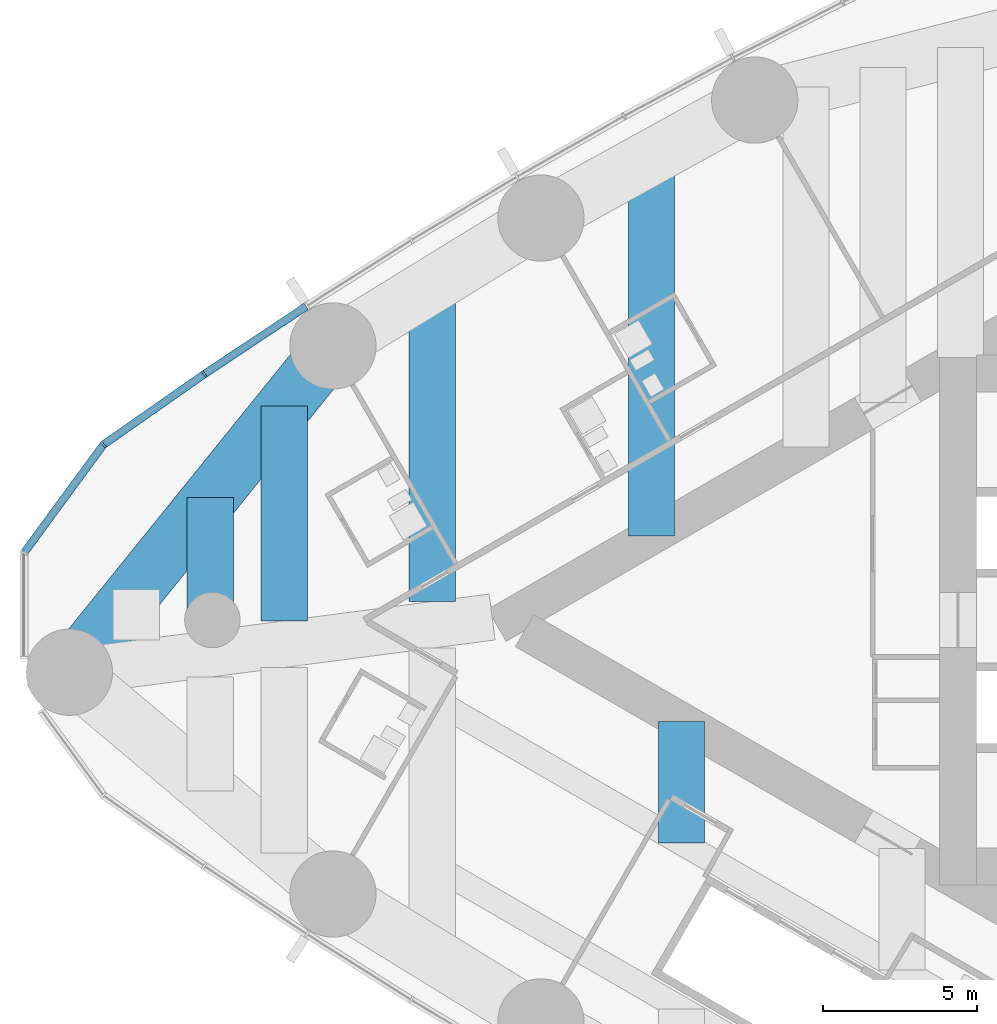
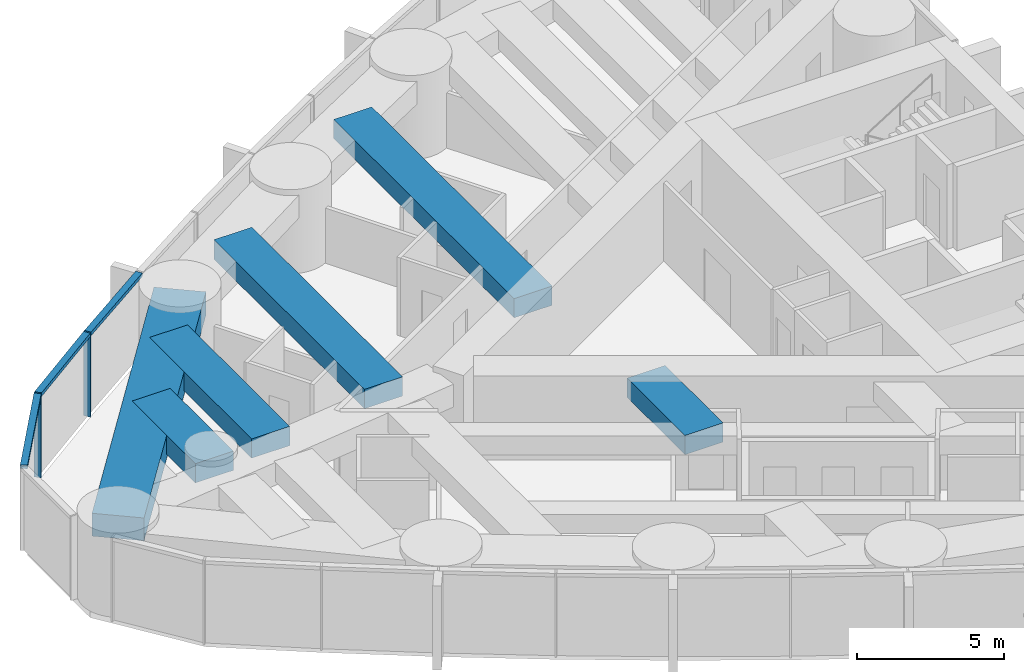
# One storey, part 3 of 19: 6 beams, 5 members, 1 element without a shape of its own.
"""IFC4 building model written with IfcOpenShell, lengths in metres."""

from ifc_helpers import new_model, si_unit, direction, frame, origin, origin_2d, place, context, subcontext, project, spatial, rectangle, extrude, material, material_profile, profile_set, type_object, element, aggregate, save


model = new_model("IFC4")

# Units and contexts
model_context = context("Model", 3, precision=1e-05, world=origin(), true_north=direction((0.0, 1.0)))
body_context = subcontext(model_context, "Body", "Model", "MODEL_VIEW")
ifc_project = project(units=[si_unit("LENGTHUNIT", "METRE"), si_unit("AREAUNIT", "SQUARE_METRE"), si_unit("VOLUMEUNIT", "CUBIC_METRE"), si_unit("PLANEANGLEUNIT", "RADIAN"), si_unit("MASSUNIT", "GRAM", prefix="KILO")], contexts=[model_context])

# Site, building, storey
site_placement = place(None, origin())
site = spatial("IfcSite", under=ifc_project, at=site_placement, CompositionType="ELEMENT")
building_placement = place(site_placement, origin())
building = spatial("IfcBuilding", under=site, at=building_placement, Name="Lancet Gate Hotel", CompositionType="ELEMENT")
storey_placement = place(building_placement, frame((0.0, 0.0, 173.800048828125)))
storey = spatial("IfcBuildingStorey", under=building, at=storey_placement, Name="L46", CompositionType="ELEMENT", Elevation=173.800048828125)

# Curtain wall, members
ifc_material_1 = material(Name="Aluminium curtain wall", Category="aluminium")
curtain_wall_type = type_object("IfcCurtainWallType", Name="Tower unitised curtain wall", PredefinedType="USERDEFINED", material=ifc_material_1)
curtain_wall_placement = place(storey_placement, origin())
curtain_wall = element("IfcCurtainWall", 1, at=curtain_wall_placement, inside=storey, type_object=curtain_wall_type, Name="T1 L46 curtain wall 2", ObjectType="UNITISED CURTAIN WALL", PredefinedType="USERDEFINED")
ifc_material_2 = material(Name="Aluminium mullion", Category="aluminium")
ifc_material_profile_1 = material_profile(ifc_material_2, rectangle(XDim=0.06494140625, YDim=0.25, at=origin_2d()), Name="MULLION 65x250")
ifc_profile_set_1 = profile_set([ifc_material_profile_1], Name="Aluminium mullion")
member_type_1 = type_object("IfcMemberType", Name="Aluminium mullion 65x250", PredefinedType="MULLION", material=ifc_profile_set_1)
member_1_placement = place(storey_placement, frame((-61.7626953125, 7.980712890625, 0.0), z_axis=(0.0, 0.0, 1.0), x_axis=(-0.826312172542, -0.563212387568, 0.0)))
member_1 = element("IfcMember", 2, at=member_1_placement, type_object=member_type_1, Name="T1 L46 curtain wall 2 mullion 10", PredefinedType="MULLION", context=body_context, shape_type="SweptSolid", body=[
    extrude(rectangle(XDim=0.06494140625, YDim=0.25, at=origin_2d()), origin(), (0.0, 0.0, 1.0), 3.5),
])
member_2_placement = place(storey_placement, frame((-65.040283203125, 5.68994140625, 0.0), z_axis=(0.0, 0.0, 1.0), x_axis=(-0.710112861968, -0.704087866155, 0.0)))
member_2 = element("IfcMember", 3, at=member_2_placement, type_object=member_type_1, Name="T1 L46 curtain wall 2 mullion 11", PredefinedType="MULLION", context=body_context, shape_type="SweptSolid", body=[
    extrude(rectangle(XDim=0.06494140625, YDim=0.25, at=origin_2d()), origin(), (0.0, 0.0, 1.0), 3.5),
])
ifc_material_3 = material(Name="Aluminium transom", Category="aluminium")
ifc_material_profile_2 = material_profile(ifc_material_3, rectangle(XDim=0.25, YDim=0.14990234375, at=origin_2d()), Name="TRANSOM 250x150")
ifc_profile_set_2 = profile_set([ifc_material_profile_2], Name="Aluminium transom")
member_type_2 = type_object("IfcMemberType", Name="Aluminium transom 250x150", PredefinedType="USERDEFINED", material=ifc_profile_set_2)
member_3_placement = place(storey_placement, frame((-58.459228515625, 10.176025390625, 3.425048828125), z_axis=(-0.832870509189, -0.553467898729, 0.0), x_axis=(0.553467898729, -0.832870509189, 0.0)))
member_3 = element("IfcMember", 4, at=member_3_placement, type_object=member_type_2, Name="T1 L46 curtain wall 2 transom 9", ObjectType="TRANSOM", PredefinedType="USERDEFINED", context=body_context, shape_type="SweptSolid", body=[
    extrude(rectangle(XDim=0.25, YDim=0.14990234375, at=origin_2d()), origin(), (0.0, 0.0, 1.0), 3.933837890625),
])
member_4_placement = place(storey_placement, frame((-61.789306640625, 7.962158203125, 3.425048828125), z_axis=(-0.819636985462, -0.572883244704, 0.0), x_axis=(0.572883244704, -0.819636985462, 0.0)))
member_4 = element("IfcMember", 5, at=member_4_placement, type_object=member_type_2, Name="T1 L46 curtain wall 2 transom 10", ObjectType="TRANSOM", PredefinedType="USERDEFINED", context=body_context, shape_type="SweptSolid", body=[
    extrude(rectangle(XDim=0.25, YDim=0.14990234375, at=origin_2d()), origin(), (0.0, 0.0, 1.0), 3.933837890625),
])
member_5_placement = place(storey_placement, frame((-65.0595703125, 5.66357421875, 3.425048828125), z_axis=(-0.591324189618, -0.806433941977, 0.0), x_axis=(0.806433941977, -0.591324189618, 0.0)))
member_5 = element("IfcMember", 6, at=member_5_placement, type_object=member_type_2, Name="T1 L46 curtain wall 2 transom 11", ObjectType="TRANSOM", PredefinedType="USERDEFINED", context=body_context, shape_type="SweptSolid", body=[
    extrude(rectangle(XDim=0.25, YDim=0.14990234375, at=origin_2d()), origin(), (0.0, 0.0, 1.0), 4.2900390625),
])
aggregate(curtain_wall, [member_1, member_2, member_3, member_4, member_5])

# Beams
ifc_material_4 = material(Name="Concrete C50/60", Category="concrete")
ifc_material_profile_3 = material_profile(ifc_material_4, rectangle(XDim=1.800048828125, YDim=0.949951171875, at=origin_2d()), Name="RC 1800x950")
ifc_profile_set_3 = profile_set([ifc_material_profile_3], Name="Concrete C50/60")
beam_type_1 = type_object("IfcBeamType", Name="Edge beam RC 1800x950", PredefinedType="SPANDREL", material=ifc_profile_set_3)
beam_1_placement = place(storey_placement, frame((-57.589599609375, 8.89306640625, 2.77490234375), z_axis=(-0.628373846765, -0.777911504416, 0.0), x_axis=(0.777911504416, -0.628373846765, 0.0)))
element("IfcBeam", 7, at=beam_1_placement, inside=storey, type_object=beam_type_1, Name="T1 edge beam EB1 L46", PredefinedType="SPANDREL", context=body_context, shape_type="SweptSolid", body=[
    extrude(rectangle(XDim=1.800048828125, YDim=0.949951171875, at=origin_2d()), origin(), (0.0, 0.0, 1.0), 13.611328125),
])
ifc_material_5 = material(Name="Concrete C50/60", Category="concrete")
ifc_material_profile_4 = material_profile(ifc_material_5, rectangle(XDim=1.5, YDim=0.800048828125, at=origin_2d()), Name="RC 1500x800")
ifc_profile_set_4 = profile_set([ifc_material_profile_4], Name="Concrete C50/60")
beam_type_2 = type_object("IfcBeamType", Name="Floor beam RC 1500x800", PredefinedType="BEAM", material=ifc_profile_set_4)
beam_2_placement = place(storey_placement, frame((-47.254638671875, 15.020751953125, 2.849853515625), z_axis=(0.0, -1.0, 0.0), x_axis=(1.0, 0.0, 0.0)))
element("IfcBeam", 8, at=beam_2_placement, inside=storey, type_object=beam_type_2, Name="T1 floor beam F09S L46", PredefinedType="BEAM", context=body_context, shape_type="SweptSolid", body=[
    extrude(rectangle(XDim=1.5, YDim=0.800048828125, at=origin_2d()), origin(), (0.0, 0.0, 1.0), 12.29931640625),
])
beam_3_placement = place(storey_placement, frame((-54.3681640625, 10.87353515625, 2.849853515625), z_axis=(0.0, -1.0, 0.0), x_axis=(1.0, 0.0, 0.0)))
element("IfcBeam", 9, at=beam_3_placement, inside=storey, type_object=beam_type_2, Name="T1 floor beam F10S L46", PredefinedType="BEAM", context=body_context, shape_type="SweptSolid", body=[
    extrude(rectangle(XDim=1.5, YDim=0.800048828125, at=origin_2d()), origin(), (0.0, 0.0, 1.0), 10.27392578125),
])
beam_4_placement = place(storey_placement, frame((-59.168212890625, 6.938720703125, 2.849853515625), z_axis=(0.0, -1.0, 0.0), x_axis=(1.0, 0.0, 0.0)))
element("IfcBeam", 10, at=beam_4_placement, inside=storey, type_object=beam_type_2, Name="T1 floor beam F12S L46", PredefinedType="BEAM", context=body_context, shape_type="SweptSolid", body=[
    extrude(rectangle(XDim=1.5, YDim=0.800048828125, at=origin_2d()), origin(), (0.0, 0.0, 1.0), 6.96630859375),
])
beam_5_placement = place(storey_placement, frame((-61.568359375, 3.967529296875, 2.849853515625), z_axis=(0.0, -1.0, 0.0), x_axis=(1.0, 0.0, 0.0)))
element("IfcBeam", 11, at=beam_5_placement, inside=storey, type_object=beam_type_2, Name="T1 floor beam F14S L46", PredefinedType="BEAM", context=body_context, shape_type="SweptSolid", body=[
    extrude(rectangle(XDim=1.5, YDim=0.800048828125, at=origin_2d()), origin(), (0.0, 0.0, 1.0), 4.308837890625),
])
beam_6_placement = place(storey_placement, frame((-46.27587890625, -3.28662109375, 2.849853515625), z_axis=(0.0, -1.0, 0.0), x_axis=(1.0, 0.0, 0.0)))
element("IfcBeam", 12, at=beam_6_placement, inside=storey, type_object=beam_type_2, Name="T1 floor beam F08NA L46", PredefinedType="BEAM", context=body_context, shape_type="SweptSolid", body=[
    extrude(rectangle(XDim=1.5, YDim=0.800048828125, at=origin_2d()), origin(), (0.0, 0.0, 1.0), 3.945556640625),
])

save(model, "model.ifc")
